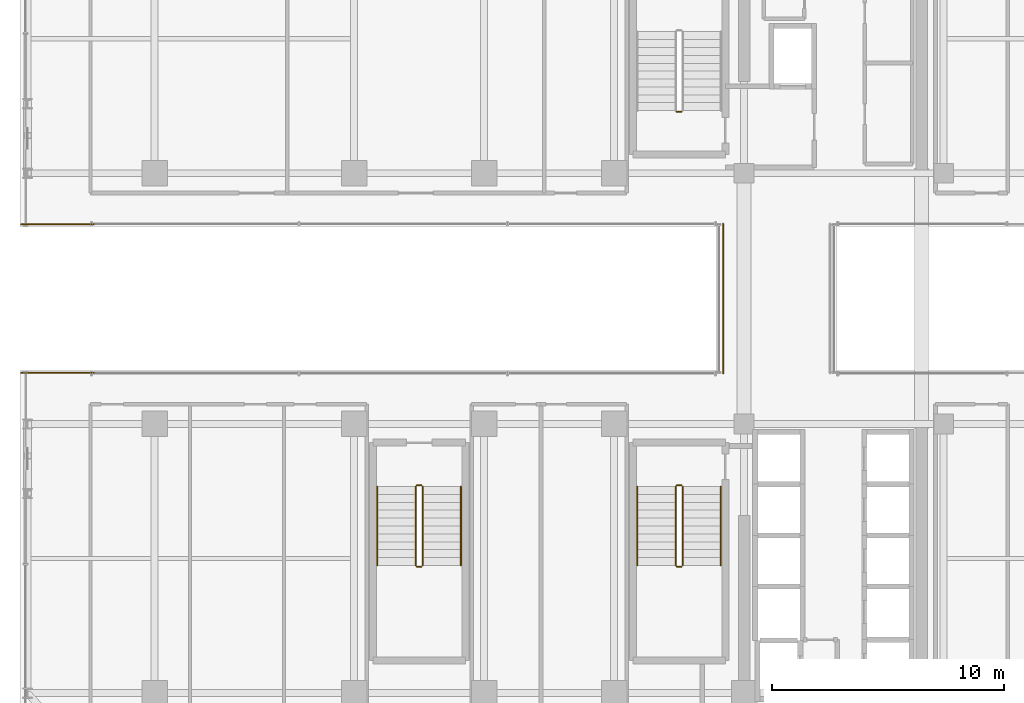
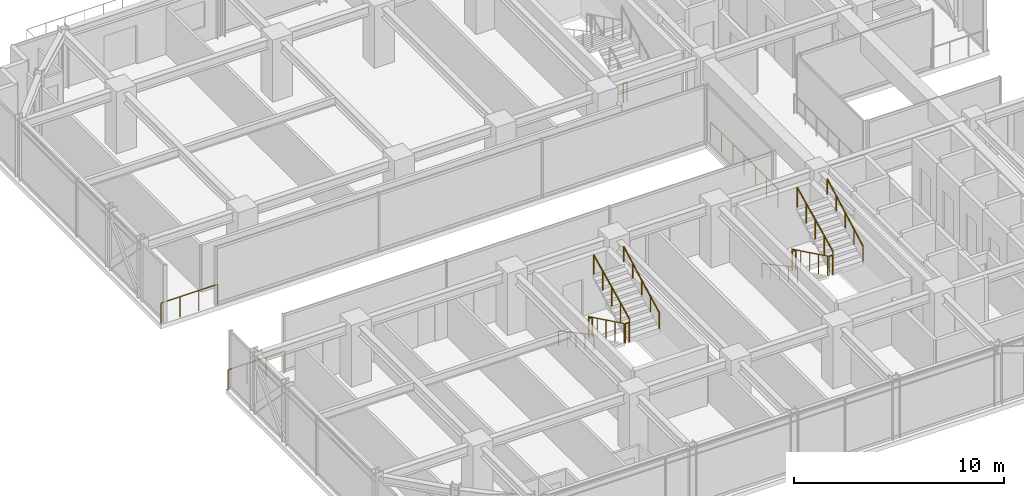
# One storey, part 33 of 36: 16 railings.
"""IFC4 building model written with IfcOpenShell, lengths in metres."""

from ifc_helpers import new_model, si_unit, direction, frame, origin, origin_2d, place, context, subcontext, project, spatial, circle, extrude, material, type_object, element, save


model = new_model("IFC4")

# Units and contexts
model_context = context("Model", 3, precision=1e-05, world=origin(), true_north=direction((0.0, 1.0)))
body_context = subcontext(model_context, "Body", "Model", "MODEL_VIEW")
ifc_project = project(units=[si_unit("LENGTHUNIT", "METRE"), si_unit("AREAUNIT", "SQUARE_METRE"), si_unit("VOLUMEUNIT", "CUBIC_METRE"), si_unit("PLANEANGLEUNIT", "RADIAN"), si_unit("MASSUNIT", "GRAM", prefix="KILO")], contexts=[model_context])

# Site, building, storey
site_placement = place(None, origin())
site = spatial("IfcSite", under=ifc_project, at=site_placement, CompositionType="ELEMENT")
building_placement = place(site_placement, origin())
building = spatial("IfcBuilding", under=site, at=building_placement, Name="Nahalor Promenade Grand Hotel", CompositionType="ELEMENT")
storey_placement = place(building_placement, frame((0.0, 0.0, 174.550048828125)))
storey = spatial("IfcBuildingStorey", under=building, at=storey_placement, Name="L44", CompositionType="ELEMENT", Elevation=174.550048828125)

# Railings
ifc_material_1 = material(Name="Anodised Bronze Aluminium EN AW-6063 T6", Category="aluminium")
railing_type_1 = type_object("IfcRailingType", Name="Bronze Balcony Guardrail 1200 mm", PredefinedType="GUARDRAIL", material=ifc_material_1)
for number, where, name in (
    (1, (-22.739990234375, -3.199951171875, 0.0), "L44 Oculus Void Edge Guardrail WS"),
    (2, (-22.739990234375, 3.199951171875, 0.0), "L44 Oculus Void Edge Guardrail WN"),
):
    element("IfcRailing", number, at=place(storey_placement, frame(where)), inside=storey, type_object=railing_type_1, Name=name, PredefinedType="GUARDRAIL", context=body_context, shape_type="SweptSolid", body=[
        extrude(circle(Radius=0.024048, at=origin_2d()), frame((0.0, 0.0, 1.17578125), z_axis=(1.0, 0.0, 0.0), x_axis=(0.0, 1.0, 0.0)), (0.0, 0.0, 1.0), 3.119873046875),
        extrude(circle(Radius=0.020996, at=origin_2d()), origin(), (0.0, 0.0, 1.0), 1.14990234375),
        extrude(circle(Radius=0.020996, at=origin_2d()), frame((1.0400390625, 0.0, 0.0)), (0.0, 0.0, 1.0), 1.14990234375),
        extrude(circle(Radius=0.020996, at=origin_2d()), frame((2.079833984375, 0.0, 0.0)), (0.0, 0.0, 1.0), 1.14990234375),
        extrude(circle(Radius=0.020996, at=origin_2d()), frame((3.119873046875, 0.0, 0.0)), (0.0, 0.0, 1.0), 1.14990234375),
    ])
railing_type_2 = type_object("IfcRailingType", Name="Bronze Sky Balustrade 1150 mm", PredefinedType="BALUSTRADE", material=ifc_material_1)
railing_1_placement = place(storey_placement, frame((7.5, -3.219970703125, 0.0)))
element("IfcRailing", 3, at=railing_1_placement, inside=storey, type_object=railing_type_2, Name="BL-L44-BRG-W", PredefinedType="BALUSTRADE", context=body_context, shape_type="SweptSolid", body=[
    extrude(circle(Radius=0.024048, at=origin_2d()), frame((0.0, 0.0, 1.1259765625), z_axis=(0.0, 1.0, 0.0), x_axis=(-1.0, 0.0, 0.0)), (0.0, 0.0, 1.0), 6.43994140625),
    extrude(circle(Radius=0.020996, at=origin_2d()), origin(), (0.0, 0.0, 1.0), 1.099853515625),
    extrude(circle(Radius=0.020996, at=origin_2d()), frame((0.0, 1.0732421875, 0.0)), (0.0, 0.0, 1.0), 1.099853515625),
    extrude(circle(Radius=0.020996, at=origin_2d()), frame((0.0, 2.146728515625, 0.0)), (0.0, 0.0, 1.0), 1.099853515625),
    extrude(circle(Radius=0.020996, at=origin_2d()), frame((0.0, 3.219970703125, 0.0)), (0.0, 0.0, 1.0), 1.099853515625),
    extrude(circle(Radius=0.020996, at=origin_2d()), frame((0.0, 4.293212890625, 0.0)), (0.0, 0.0, 1.0), 1.099853515625),
    extrude(circle(Radius=0.020996, at=origin_2d()), frame((0.0, 5.36669921875, 0.0)), (0.0, 0.0, 1.0), 1.099853515625),
    extrude(circle(Radius=0.020996, at=origin_2d()), frame((0.0, 6.43994140625, 0.0)), (0.0, 0.0, 1.0), 1.099853515625),
])
ifc_material_2 = material(Name="Steel S355JR", Category="steel")
railing_type_3 = type_object("IfcRailingType", Name="Steel Stair Guardrail 1150 mm", PredefinedType="GUARDRAIL", material=ifc_material_2)
railing_2_placement = place(storey_placement, frame((5.699951171875, 8.050048828125, 0.0)))
element("IfcRailing", 4, at=railing_2_placement, inside=storey, type_object=railing_type_3, Name="L44 ST1 stair guard 4", PredefinedType="GUARDRAIL", context=body_context, shape_type="SweptSolid", body=[
    extrude(circle(Radius=0.024048, at=origin_2d()), frame((0.0, 0.0, 1.1259765625), z_axis=(-1.0, 0.0, 0.0), x_axis=(0.0, -1.0, 0.0)), (0.0, 0.0, 1.0), 0.199951171875),
    extrude(circle(Radius=0.020996, at=origin_2d()), origin(), (0.0, 0.0, 1.0), 1.099853515625),
    extrude(circle(Radius=0.020996, at=origin_2d()), frame((-0.199951171875, 0.0, 0.0)), (0.0, 0.0, 1.0), 1.099853515625),
])
railing_3_placement = place(storey_placement, frame((5.449951171875, -8.10009765625, 0.165771484375)))
element("IfcRailing", 5, at=railing_3_placement, inside=storey, type_object=railing_type_3, Name="L44 ST2 stair guard 1", PredefinedType="GUARDRAIL", context=body_context, shape_type="SweptSolid", body=[
    extrude(circle(Radius=0.024048, at=origin_2d()), frame((0.0, 0.0, 1.1259765625), z_axis=(0.0, -0.898696488221, 0.438571114028), x_axis=(1.0, 0.0, 0.0)), (0.0, 0.0, 1.0), 3.783203125),
    extrude(circle(Radius=0.020996, at=origin_2d()), origin(), (0.0, 0.0, 1.0), 1.099853515625),
    extrude(circle(Radius=0.020996, at=origin_2d()), frame((0.0, -0.85009765625, 0.414794921875)), (0.0, 0.0, 1.0), 1.099853515625),
    extrude(circle(Radius=0.020996, at=origin_2d()), frame((0.0, -1.699951171875, 0.82958984375)), (0.0, 0.0, 1.0), 1.099853515625),
    extrude(circle(Radius=0.020996, at=origin_2d()), frame((0.0, -2.5498046875, 1.244384765625)), (0.0, 0.0, 1.0), 1.099853515625),
    extrude(circle(Radius=0.020996, at=origin_2d()), frame((0.0, -3.39990234375, 1.6591796875)), (0.0, 0.0, 1.0), 1.099853515625),
])
railing_4_placement = place(storey_placement, frame((5.5, -11.550048828125, 1.824951171875)))
element("IfcRailing", 6, at=railing_4_placement, inside=storey, type_object=railing_type_3, Name="L44 ST2 stair guard 2", PredefinedType="GUARDRAIL", context=body_context, shape_type="SweptSolid", body=[
    extrude(circle(Radius=0.024048, at=origin_2d()), frame((0.0, 0.0, 1.1259765625), z_axis=(1.0, 0.0, 0.0), x_axis=(0.0, 1.0, 0.0)), (0.0, 0.0, 1.0), 0.199951171875),
    extrude(circle(Radius=0.020996, at=origin_2d()), origin(), (0.0, 0.0, 1.0), 1.099853515625),
    extrude(circle(Radius=0.020996, at=origin_2d()), frame((0.199951171875, 0.0, 0.0)), (0.0, 0.0, 1.0), 1.099853515625),
])
railing_5_placement = place(storey_placement, frame((5.75, -11.5, 1.990966796875)))
element("IfcRailing", 7, at=railing_5_placement, inside=storey, type_object=railing_type_3, Name="L44 ST2 stair guard 3", PredefinedType="GUARDRAIL", context=body_context, shape_type="SweptSolid", body=[
    extrude(circle(Radius=0.024048, at=origin_2d()), frame((0.0, 0.0, 1.1259765625), z_axis=(0.0, 0.898721922897, 0.438518990814), x_axis=(-1.0, 0.0, 0.0)), (0.0, 0.0, 1.0), 3.782958984375),
    extrude(circle(Radius=0.020996, at=origin_2d()), origin(), (0.0, 0.0, 1.0), 1.099853515625),
    extrude(circle(Radius=0.020996, at=origin_2d()), frame((0.0, 0.85009765625, 0.414794921875)), (0.0, 0.0, 1.0), 1.099853515625),
    extrude(circle(Radius=0.020996, at=origin_2d()), frame((0.0, 1.699951171875, 0.82958984375)), (0.0, 0.0, 1.0), 1.099853515625),
    extrude(circle(Radius=0.020996, at=origin_2d()), frame((0.0, 2.5498046875, 1.244140625)), (0.0, 0.0, 1.0), 1.099853515625),
    extrude(circle(Radius=0.020996, at=origin_2d()), frame((0.0, 3.39990234375, 1.658935546875)), (0.0, 0.0, 1.0), 1.099853515625),
])
railing_6_placement = place(storey_placement, frame((5.5, -8.050048828125, 0.0)))
element("IfcRailing", 8, at=railing_6_placement, inside=storey, type_object=railing_type_3, Name="L44 ST2 stair guard 4", PredefinedType="GUARDRAIL", context=body_context, shape_type="SweptSolid", body=[
    extrude(circle(Radius=0.024048, at=origin_2d()), frame((0.0, 0.0, 1.1259765625), z_axis=(1.0, 0.0, 0.0), x_axis=(0.0, 1.0, 0.0)), (0.0, 0.0, 1.0), 0.199951171875),
    extrude(circle(Radius=0.020996, at=origin_2d()), origin(), (0.0, 0.0, 1.0), 1.099853515625),
    extrude(circle(Radius=0.020996, at=origin_2d()), frame((0.199951171875, 0.0, 0.0)), (0.0, 0.0, 1.0), 1.099853515625),
])
railing_7_placement = place(storey_placement, frame((-5.75, -8.10009765625, 0.165771484375)))
element("IfcRailing", 9, at=railing_7_placement, inside=storey, type_object=railing_type_3, Name="L44 ST3 stair guard 1", PredefinedType="GUARDRAIL", context=body_context, shape_type="SweptSolid", body=[
    extrude(circle(Radius=0.024048, at=origin_2d()), frame((0.0, 0.0, 1.1259765625), z_axis=(0.0, -0.898696488221, 0.438571114028), x_axis=(1.0, 0.0, 0.0)), (0.0, 0.0, 1.0), 3.783203125),
    extrude(circle(Radius=0.020996, at=origin_2d()), origin(), (0.0, 0.0, 1.0), 1.099853515625),
    extrude(circle(Radius=0.020996, at=origin_2d()), frame((0.0, -0.85009765625, 0.414794921875)), (0.0, 0.0, 1.0), 1.099853515625),
    extrude(circle(Radius=0.020996, at=origin_2d()), frame((0.0, -1.699951171875, 0.82958984375)), (0.0, 0.0, 1.0), 1.099853515625),
    extrude(circle(Radius=0.020996, at=origin_2d()), frame((0.0, -2.5498046875, 1.244384765625)), (0.0, 0.0, 1.0), 1.099853515625),
    extrude(circle(Radius=0.020996, at=origin_2d()), frame((0.0, -3.39990234375, 1.6591796875)), (0.0, 0.0, 1.0), 1.099853515625),
])
railing_8_placement = place(storey_placement, frame((-5.699951171875, -11.550048828125, 1.824951171875)))
element("IfcRailing", 10, at=railing_8_placement, inside=storey, type_object=railing_type_3, Name="L44 ST3 stair guard 2", PredefinedType="GUARDRAIL", context=body_context, shape_type="SweptSolid", body=[
    extrude(circle(Radius=0.024048, at=origin_2d()), frame((0.0, 0.0, 1.1259765625), z_axis=(1.0, 0.0, 0.0), x_axis=(0.0, 1.0, 0.0)), (0.0, 0.0, 1.0), 0.199951171875),
    extrude(circle(Radius=0.020996, at=origin_2d()), origin(), (0.0, 0.0, 1.0), 1.099853515625),
    extrude(circle(Radius=0.020996, at=origin_2d()), frame((0.199951171875, 0.0, 0.0)), (0.0, 0.0, 1.0), 1.099853515625),
])
railing_9_placement = place(storey_placement, frame((-5.449951171875, -11.5, 1.990966796875)))
element("IfcRailing", 11, at=railing_9_placement, inside=storey, type_object=railing_type_3, Name="L44 ST3 stair guard 3", PredefinedType="GUARDRAIL", context=body_context, shape_type="SweptSolid", body=[
    extrude(circle(Radius=0.024048, at=origin_2d()), frame((0.0, 0.0, 1.1259765625), z_axis=(0.0, 0.898721922897, 0.438518990814), x_axis=(-1.0, 0.0, 0.0)), (0.0, 0.0, 1.0), 3.782958984375),
    extrude(circle(Radius=0.020996, at=origin_2d()), origin(), (0.0, 0.0, 1.0), 1.099853515625),
    extrude(circle(Radius=0.020996, at=origin_2d()), frame((0.0, 0.85009765625, 0.414794921875)), (0.0, 0.0, 1.0), 1.099853515625),
    extrude(circle(Radius=0.020996, at=origin_2d()), frame((0.0, 1.699951171875, 0.82958984375)), (0.0, 0.0, 1.0), 1.099853515625),
    extrude(circle(Radius=0.020996, at=origin_2d()), frame((0.0, 2.5498046875, 1.244140625)), (0.0, 0.0, 1.0), 1.099853515625),
    extrude(circle(Radius=0.020996, at=origin_2d()), frame((0.0, 3.39990234375, 1.658935546875)), (0.0, 0.0, 1.0), 1.099853515625),
])
railing_10_placement = place(storey_placement, frame((-5.699951171875, -8.050048828125, 0.0)))
element("IfcRailing", 12, at=railing_10_placement, inside=storey, type_object=railing_type_3, Name="L44 ST3 stair guard 4", PredefinedType="GUARDRAIL", context=body_context, shape_type="SweptSolid", body=[
    extrude(circle(Radius=0.024048, at=origin_2d()), frame((0.0, 0.0, 1.1259765625), z_axis=(1.0, 0.0, 0.0), x_axis=(0.0, 1.0, 0.0)), (0.0, 0.0, 1.0), 0.199951171875),
    extrude(circle(Radius=0.020996, at=origin_2d()), origin(), (0.0, 0.0, 1.0), 1.099853515625),
    extrude(circle(Radius=0.020996, at=origin_2d()), frame((0.199951171875, 0.0, 0.0)), (0.0, 0.0, 1.0), 1.099853515625),
])
railing_type_4 = type_object("IfcRailingType", Name="Steel Stair Handrail 900 mm", PredefinedType="HANDRAIL", material=ifc_material_2)
railing_11_placement = place(storey_placement, frame((3.800048828125, -8.10009765625, 0.165771484375)))
element("IfcRailing", 13, at=railing_11_placement, inside=storey, type_object=railing_type_4, Name="L44 ST2 stair handrail 1", PredefinedType="HANDRAIL", context=body_context, shape_type="SweptSolid", body=[
    extrude(circle(Radius=0.024048, at=origin_2d()), frame((0.0, 0.0, 0.8759765625), z_axis=(0.0, -0.881067672671, 0.472990228413), x_axis=(1.0, 0.0, 0.0)), (0.0, 0.0, 1.0), 3.85888671875),
    extrude(circle(Radius=0.020996, at=origin_2d()), origin(), (0.0, 0.0, 1.0), 0.849853515625),
    extrude(circle(Radius=0.020996, at=origin_2d()), frame((0.0, -0.85009765625, 0.456298828125)), (0.0, 0.0, 1.0), 0.849853515625),
    extrude(circle(Radius=0.020996, at=origin_2d()), frame((0.0, -1.699951171875, 0.91259765625)), (0.0, 0.0, 1.0), 0.849853515625),
    extrude(circle(Radius=0.020996, at=origin_2d()), frame((0.0, -2.5498046875, 1.368896484375)), (0.0, 0.0, 1.0), 0.849853515625),
    extrude(circle(Radius=0.020996, at=origin_2d()), frame((0.0, -3.39990234375, 1.8251953125)), (0.0, 0.0, 1.0), 0.849853515625),
])
railing_12_placement = place(storey_placement, frame((7.39990234375, -11.5, 1.990966796875)))
element("IfcRailing", 14, at=railing_12_placement, inside=storey, type_object=railing_type_4, Name="L44 ST2 stair handrail 2", PredefinedType="HANDRAIL", context=body_context, shape_type="SweptSolid", body=[
    extrude(circle(Radius=0.024048, at=origin_2d()), frame((0.0, 0.0, 0.8759765625), z_axis=(0.0, 0.881094038095, 0.47294111265), x_axis=(-1.0, 0.0, 0.0)), (0.0, 0.0, 1.0), 3.858642578125),
    extrude(circle(Radius=0.020996, at=origin_2d()), origin(), (0.0, 0.0, 1.0), 0.849853515625),
    extrude(circle(Radius=0.020996, at=origin_2d()), frame((0.0, 0.85009765625, 0.456298828125)), (0.0, 0.0, 1.0), 0.849853515625),
    extrude(circle(Radius=0.020996, at=origin_2d()), frame((0.0, 1.699951171875, 0.91259765625)), (0.0, 0.0, 1.0), 0.849853515625),
    extrude(circle(Radius=0.020996, at=origin_2d()), frame((0.0, 2.5498046875, 1.36865234375)), (0.0, 0.0, 1.0), 0.849853515625),
    extrude(circle(Radius=0.020996, at=origin_2d()), frame((0.0, 3.39990234375, 1.824951171875)), (0.0, 0.0, 1.0), 0.849853515625),
])
railing_13_placement = place(storey_placement, frame((-7.39990234375, -8.10009765625, 0.165771484375)))
element("IfcRailing", 15, at=railing_13_placement, inside=storey, type_object=railing_type_4, Name="L44 ST3 stair handrail 1", PredefinedType="HANDRAIL", context=body_context, shape_type="SweptSolid", body=[
    extrude(circle(Radius=0.024048, at=origin_2d()), frame((0.0, 0.0, 0.8759765625), z_axis=(0.0, -0.881067672671, 0.472990228413), x_axis=(1.0, 0.0, 0.0)), (0.0, 0.0, 1.0), 3.85888671875),
    extrude(circle(Radius=0.020996, at=origin_2d()), origin(), (0.0, 0.0, 1.0), 0.849853515625),
    extrude(circle(Radius=0.020996, at=origin_2d()), frame((0.0, -0.85009765625, 0.456298828125)), (0.0, 0.0, 1.0), 0.849853515625),
    extrude(circle(Radius=0.020996, at=origin_2d()), frame((0.0, -1.699951171875, 0.91259765625)), (0.0, 0.0, 1.0), 0.849853515625),
    extrude(circle(Radius=0.020996, at=origin_2d()), frame((0.0, -2.5498046875, 1.368896484375)), (0.0, 0.0, 1.0), 0.849853515625),
    extrude(circle(Radius=0.020996, at=origin_2d()), frame((0.0, -3.39990234375, 1.8251953125)), (0.0, 0.0, 1.0), 0.849853515625),
])
railing_14_placement = place(storey_placement, frame((-3.800048828125, -11.5, 1.990966796875)))
element("IfcRailing", 16, at=railing_14_placement, inside=storey, type_object=railing_type_4, Name="L44 ST3 stair handrail 2", PredefinedType="HANDRAIL", context=body_context, shape_type="SweptSolid", body=[
    extrude(circle(Radius=0.024048, at=origin_2d()), frame((0.0, 0.0, 0.8759765625), z_axis=(0.0, 0.881094038095, 0.47294111265), x_axis=(-1.0, 0.0, 0.0)), (0.0, 0.0, 1.0), 3.858642578125),
    extrude(circle(Radius=0.020996, at=origin_2d()), origin(), (0.0, 0.0, 1.0), 0.849853515625),
    extrude(circle(Radius=0.020996, at=origin_2d()), frame((0.0, 0.85009765625, 0.456298828125)), (0.0, 0.0, 1.0), 0.849853515625),
    extrude(circle(Radius=0.020996, at=origin_2d()), frame((0.0, 1.699951171875, 0.91259765625)), (0.0, 0.0, 1.0), 0.849853515625),
    extrude(circle(Radius=0.020996, at=origin_2d()), frame((0.0, 2.5498046875, 1.36865234375)), (0.0, 0.0, 1.0), 0.849853515625),
    extrude(circle(Radius=0.020996, at=origin_2d()), frame((0.0, 3.39990234375, 1.824951171875)), (0.0, 0.0, 1.0), 0.849853515625),
])

save(model, "model.ifc")
